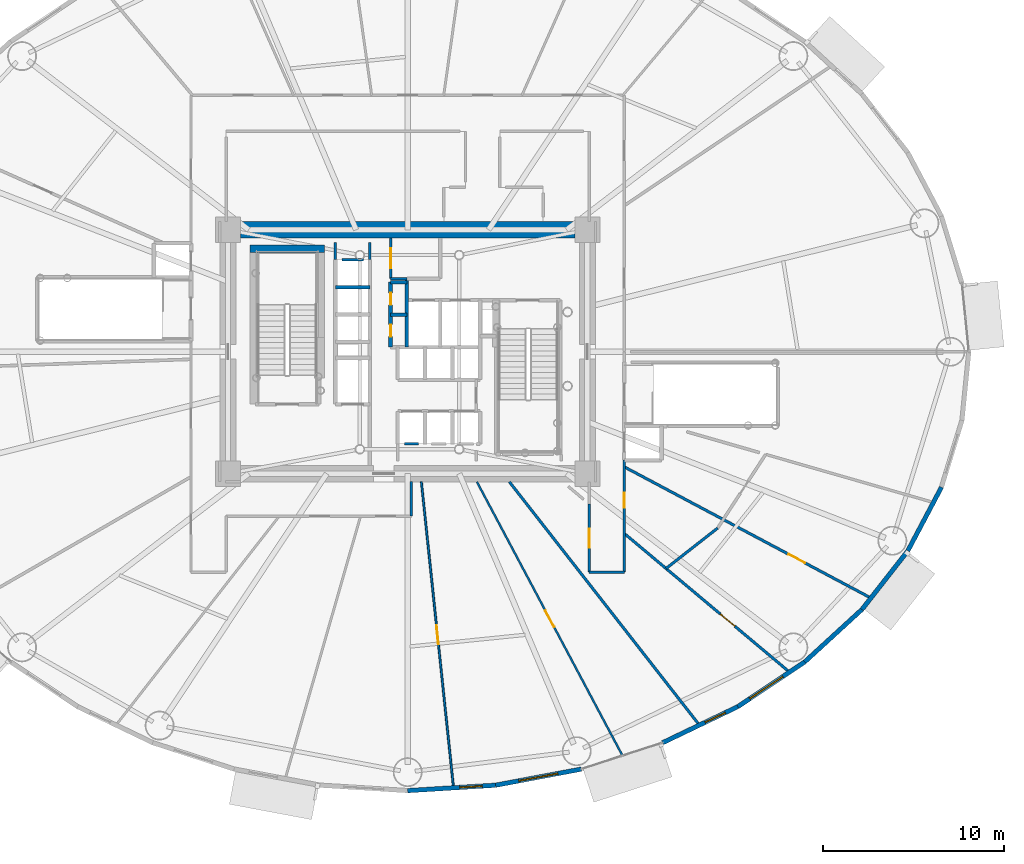
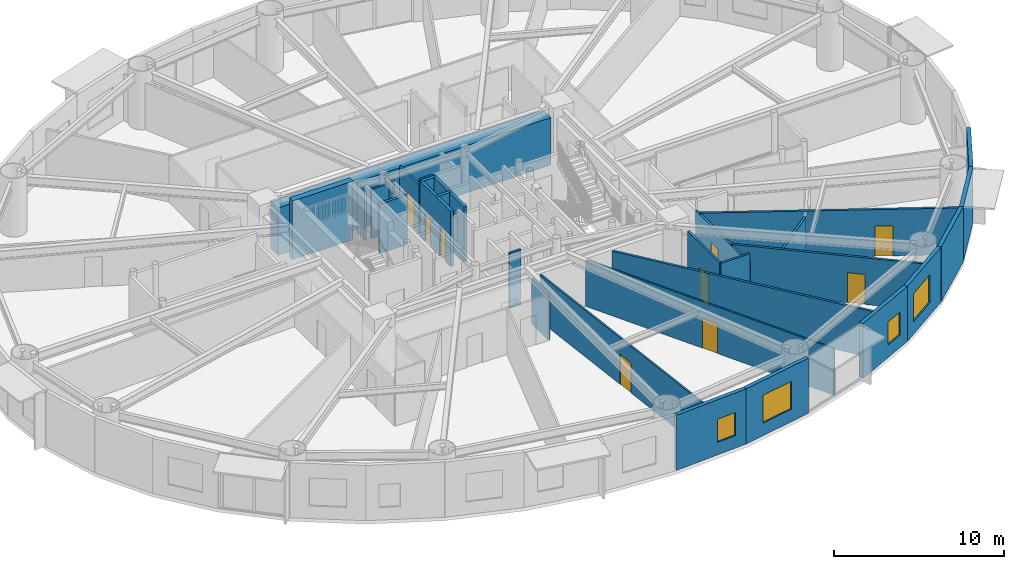
# One storey, part 17 of 28: 30 walls, 9 doors, 4 windows, 13 openings.
"""IFC4 building model written with IfcOpenShell, lengths in metres."""

from ifc_helpers import new_model, si_unit, direction, frame, frame_2d, origin, origin_2d, place, context, subcontext, project, spatial, rectangle, extrude, source, transform, mapped, material, layer, layer_set, type_object, element, fill, save


model = new_model("IFC4")

# Units and contexts
model_context = context("Model", 3, precision=1e-05, world=origin(), true_north=direction((0.0, 1.0)))
body_context = subcontext(model_context, "Body", "Model", "MODEL_VIEW")
ifc_project = project(units=[si_unit("LENGTHUNIT", "METRE"), si_unit("AREAUNIT", "SQUARE_METRE"), si_unit("VOLUMEUNIT", "CUBIC_METRE"), si_unit("PLANEANGLEUNIT", "RADIAN"), si_unit("MASSUNIT", "GRAM", prefix="KILO")], contexts=[model_context])

# Site, building, storey
site_placement = place(None, origin())
site = spatial("IfcSite", under=ifc_project, at=site_placement, CompositionType="ELEMENT")
building_placement = place(site_placement, origin())
building = spatial("IfcBuilding", under=site, at=building_placement, Name="Linh Dai School and Residence Tower", CompositionType="ELEMENT")
storey_placement = place(building_placement, frame((0.0, 0.0, 57.60009765625)))
storey = spatial("IfcBuildingStorey", under=building, at=storey_placement, Name="L13", CompositionType="ELEMENT", Elevation=57.60009765625)

# Wall, opening, window
ifc_material_1 = material(Name="Precast Concrete B45 (C35/45)", Category="concrete")
ifc_layer_1 = layer(ifc_material_1, 0.25)
ifc_layer_set_1 = layer_set([ifc_layer_1], Name="Precast Concrete B45 (C35/45)")
wall_type_1 = type_object("IfcWallType", Name="EW-TC-250", PredefinedType="SOLIDWALL", material=ifc_layer_set_1)
wall_1_placement = place(storey_placement, frame((40.865478515625, 2.994873046875, 0.0), z_axis=(0.0, 0.0, 1.0), x_axis=(-0.998106954071, -0.061502099433, 0.0)))
wall_1 = element("IfcWall", 1, at=wall_1_placement, inside=storey, type_object=wall_type_1, Name="L13 Terracotta Exterior Wall 31", PredefinedType="SOLIDWALL", context=body_context, shape_type="SweptSolid", body=[
    extrude(rectangle(XDim=4.874755859375, YDim=0.25, at=frame_2d((2.4375, 0.0))), origin(), (0.0, 0.0, 1.0), 3.949951171875),
])
opening_1_placement = place(wall_1_placement, frame((0.7373046875, 0.0, 0.89990234375)))
opening_1 = element("IfcOpeningElement", 2, at=opening_1_placement, cuts=wall_1, Name="Opening W3", PredefinedType="OPENING", context=body_context, shape_type="SweptSolid", body=[
    extrude(rectangle(XDim=1.25, YDim=1.64990234375, at=origin_2d()), frame((0.625, 0.135009765625, 0.824951171875), z_axis=(0.0, -1.0, 0.0), x_axis=(1.0, 0.0, 0.0)), (0.0, 0.0, 1.0), 0.27001953125),
])
ifc_material_2 = material(Name="Double Low-E Insulated Glazing", Category="glass")
window_type_1 = type_object("IfcWindowType", Name="WN-RES-1250x1650", PartitioningType="SINGLE_PANEL", PredefinedType="WINDOW", material=ifc_material_2)
shared_shape_1 = source(origin(), body_context, "Body", "SweptSolid", [
    extrude(rectangle(XDim=1.25, YDim=1.64990234375, at=origin_2d()), frame((0.625, 0.030029296875, 0.824951171875), z_axis=(0.0, -1.0, 0.0), x_axis=(1.0, 0.0, 0.0)), (0.0, 0.0, 1.0), 0.06005859375),
])
window_1_placement = place(opening_1_placement, origin())
window_1 = element("IfcWindow", 3, at=window_1_placement, inside=storey, type_object=window_type_1, Name="L13 Exterior Window 31.1", OverallHeight=1.64990234375, OverallWidth=1.25, PartitioningType="SINGLE_PANEL", PredefinedType="WINDOW", context=body_context, shape_type="MappedRepresentation", body=[
    mapped(shared_shape_1, transform((0.0, 0.0, 0.0), x_axis=(1.0, 0.0, 0.0), y_axis=(0.0, 1.0, 0.0), z_axis=(0.0, 0.0, 1.0), scale=1.0)),
])
fill(opening_1, window_1)

wall_2_placement = place(storey_placement, frame((45.610595703125, 3.88671875, 0.0), z_axis=(0.0, 0.0, 1.0), x_axis=(-0.982791952378, -0.184715939598, 0.0)))
wall_2 = element("IfcWall", 4, at=wall_2_placement, inside=storey, type_object=wall_type_1, Name="L13 Terracotta Exterior Wall 32", PredefinedType="SOLIDWALL", context=body_context, shape_type="SweptSolid", body=[
    extrude(rectangle(XDim=4.828125, YDim=0.25, at=frame_2d((2.4140625, 0.0))), origin(), (0.0, 0.0, 1.0), 3.949951171875),
])
opening_2_placement = place(wall_2_placement, frame((1.314208984375, 0.0, 0.89990234375)))
opening_2 = element("IfcOpeningElement", 5, at=opening_2_placement, cuts=wall_2, Name="Opening W4", PredefinedType="OPENING", context=body_context, shape_type="SweptSolid", body=[
    extrude(rectangle(XDim=2.199951171875, YDim=2.0, at=origin_2d()), frame((1.10009765625, 0.135009765625, 1.0), z_axis=(0.0, -1.0, 0.0), x_axis=(1.0, 0.0, 0.0)), (0.0, 0.0, 1.0), 0.27001953125),
])
ifc_material_3 = material(Name="Acoustic Laminated Low-E Glazing", Category="glass")
window_type_2 = type_object("IfcWindowType", Name="WN-SCH-2200x2000", PartitioningType="TRIPLE_PANEL_VERTICAL", PredefinedType="WINDOW", material=ifc_material_3)
shared_shape_2 = source(origin(), body_context, "Body", "SweptSolid", [
    extrude(rectangle(XDim=2.199951171875, YDim=2.0, at=origin_2d()), frame((1.10009765625, 0.030029296875, 1.0), z_axis=(0.0, -1.0, 0.0), x_axis=(1.0, 0.0, 0.0)), (0.0, 0.0, 1.0), 0.06005859375),
])
window_2_placement = place(opening_2_placement, origin())
window_2 = element("IfcWindow", 6, at=window_2_placement, inside=storey, type_object=window_type_2, Name="L13 Exterior Window 32.1", OverallHeight=2.0, OverallWidth=2.199951171875, PartitioningType="TRIPLE_PANEL_VERTICAL", PredefinedType="WINDOW", context=body_context, shape_type="MappedRepresentation", body=[
    mapped(shared_shape_2, transform((0.0, 0.0, 0.0), x_axis=(1.0, 0.0, 0.0), y_axis=(0.0, 1.0, 0.0), z_axis=(0.0, 0.0, 1.0), scale=1.0)),
])
fill(opening_2, window_2)

wall_3_placement = place(storey_placement, frame((54.277099609375, 7.34423828125, 0.0), z_axis=(0.0, 0.0, 1.0), x_axis=(-0.901601503137, -0.432567601123, 0.0)))
wall_3 = element("IfcWall", 7, at=wall_3_placement, inside=storey, type_object=wall_type_1, Name="L13 Terracotta Exterior Wall 34", PredefinedType="SOLIDWALL", context=body_context, shape_type="SweptSolid", body=[
    extrude(rectangle(XDim=4.61279296875, YDim=0.25, at=frame_2d((2.306396484375, 0.0))), origin(), (0.0, 0.0, 1.0), 3.949951171875),
])
opening_3_placement = place(wall_3_placement, frame((0.760986328125, 0.0, 0.89990234375)))
opening_3 = element("IfcOpeningElement", 8, at=opening_3_placement, cuts=wall_3, Name="Opening W3", PredefinedType="OPENING", context=body_context, shape_type="SweptSolid", body=[
    extrude(rectangle(XDim=1.25, YDim=1.64990234375, at=origin_2d()), frame((0.625, 0.135009765625, 0.824951171875), z_axis=(0.0, -1.0, 0.0), x_axis=(1.0, 0.0, 0.0)), (0.0, 0.0, 1.0), 0.27001953125),
])
window_3_placement = place(opening_3_placement, origin())
window_3 = element("IfcWindow", 9, at=window_3_placement, inside=storey, type_object=window_type_1, Name="L13 Exterior Window 34.1", OverallHeight=1.64990234375, OverallWidth=1.25, PartitioningType="SINGLE_PANEL", PredefinedType="WINDOW", context=body_context, shape_type="MappedRepresentation", body=[
    mapped(shared_shape_1, transform((0.0, 0.0, 0.0), x_axis=(1.0, 0.0, 0.0), y_axis=(0.0, 1.0, 0.0), z_axis=(0.0, 0.0, 1.0), scale=1.0)),
])
fill(opening_3, window_3)

wall_4_placement = place(storey_placement, frame((57.984619140625, 9.82373046875, 0.0), z_axis=(0.0, 0.0, 1.0), x_axis=(-0.831240982525, -0.555912249343, 0.0)))
wall_4 = element("IfcWall", 10, at=wall_4_placement, inside=storey, type_object=wall_type_1, Name="L13 Terracotta Exterior Wall 35", PredefinedType="SOLIDWALL", context=body_context, shape_type="SweptSolid", body=[
    extrude(rectangle(XDim=4.460205078125, YDim=0.25, at=frame_2d((2.22998046875, 0.0))), origin(), (0.0, 0.0, 1.0), 3.949951171875),
])
opening_4_placement = place(wall_4_placement, frame((1.460693359375, 0.0, 0.89990234375)))
opening_4 = element("IfcOpeningElement", 11, at=opening_4_placement, cuts=wall_4, Name="Opening W4", PredefinedType="OPENING", context=body_context, shape_type="SweptSolid", body=[
    extrude(rectangle(XDim=2.199951171875, YDim=2.0, at=origin_2d()), frame((1.10009765625, 0.135009765625, 1.0), z_axis=(0.0, -1.0, 0.0), x_axis=(1.0, 0.0, 0.0)), (0.0, 0.0, 1.0), 0.27001953125),
])
window_4_placement = place(opening_4_placement, origin())
window_4 = element("IfcWindow", 12, at=window_4_placement, inside=storey, type_object=window_type_2, Name="L13 Exterior Window 35.1", OverallHeight=2.0, OverallWidth=2.199951171875, PartitioningType="TRIPLE_PANEL_VERTICAL", PredefinedType="WINDOW", context=body_context, shape_type="MappedRepresentation", body=[
    mapped(shared_shape_2, transform((0.0, 0.0, 0.0), x_axis=(1.0, 0.0, 0.0), y_axis=(0.0, 1.0, 0.0), z_axis=(0.0, 0.0, 1.0), scale=1.0)),
])
fill(opening_4, window_4)

# Walls
wall_5_placement = place(storey_placement, frame((61.149658203125, 12.725341796875, 0.0), z_axis=(0.0, 0.0, 1.0), x_axis=(-0.737116376281, -0.67576582321, 0.0)))
element("IfcWall", 13, at=wall_5_placement, inside=storey, type_object=wall_type_1, Name="L13 Terracotta Exterior Wall 36", PredefinedType="SOLIDWALL", context=body_context, shape_type="SweptSolid", body=[
    extrude(rectangle(XDim=4.293701171875, YDim=0.25, at=frame_2d((2.14697265625, 0.0))), origin(), (0.0, 0.0, 1.0), 3.949951171875),
])
wall_6_placement = place(storey_placement, frame((63.694580078125, 15.977294921875, 0.0), z_axis=(0.0, 0.0, 1.0), x_axis=(-0.616295508253, -0.787514981767, 0.0)))
element("IfcWall", 14, at=wall_6_placement, inside=storey, type_object=wall_type_1, Name="L13 Terracotta Exterior Wall 37", PredefinedType="SOLIDWALL", context=body_context, shape_type="SweptSolid", body=[
    extrude(rectangle(XDim=4.12939453125, YDim=0.25, at=frame_2d((2.064697265625, 0.0))), origin(), (0.0, 0.0, 1.0), 3.949951171875),
])
wall_7_placement = place(storey_placement, frame((65.5576171875, 19.49853515625, 0.0), z_axis=(0.0, 0.0, 1.0), x_axis=(-0.467662443071, -0.883907144072, 0.0)))
element("IfcWall", 15, at=wall_7_placement, inside=storey, type_object=wall_type_1, Name="L13 Terracotta Exterior Wall 38", PredefinedType="SOLIDWALL", context=body_context, shape_type="SweptSolid", body=[
    extrude(rectangle(XDim=3.983642578125, YDim=0.25, at=frame_2d((1.99169921875, 0.0))), origin(), (0.0, 0.0, 1.0), 3.949951171875),
])

# Wall, opening, door
ifc_material_4 = material(Name="Autoclaved Aerated Concrete Blockwork", Category="masonry")
ifc_layer_2 = layer(ifc_material_4, 0.135009765625)
ifc_layer_set_2 = layer_set([ifc_layer_2], Name="Autoclaved Aerated Concrete Blockwork")
wall_type_2 = type_object("IfcWallType", Name="IW-CORR-135-EI90", PredefinedType="PARTITIONING", material=ifc_layer_set_2)
wall_8_placement = place(storey_placement, frame((35.050048828125, 31.050048828125, 0.0), z_axis=(0.0, 0.0, 1.0), x_axis=(0.0, 1.0, 0.0)))
wall_8 = element("IfcWall", 16, at=wall_8_placement, inside=storey, type_object=wall_type_2, Name="L13 Interior Partition Wall 034", PredefinedType="PARTITIONING", context=body_context, shape_type="SweptSolid", body=[
    extrude(rectangle(XDim=2.25, YDim=0.135009765625, at=frame_2d((1.125, 0.0))), origin(), (0.0, 0.0, 1.0), 3.534912109375),
])
opening_5_placement = place(wall_8_placement, frame((0.574951171875, 0.0, 0.0)))
opening_5 = element("IfcOpeningElement", 17, at=opening_5_placement, cuts=wall_8, Name="Opening D07", PredefinedType="OPENING", context=body_context, shape_type="SweptSolid", body=[
    extrude(rectangle(XDim=1.10009765625, YDim=2.14990234375, at=origin_2d()), frame((0.550048828125, 0.07763671875, 1.074951171875), z_axis=(0.0, -1.0, 0.0), x_axis=(1.0, 0.0, 0.0)), (0.0, 0.0, 1.0), 0.155029296875),
])
ifc_material_5 = material(Name="Fire-Rated Louvred Steel Plant Door", Category="steel")
door_type_1 = type_object("IfcDoorType", Name="DR-PLT-1100x2150-FD60S", OperationType="NOTDEFINED", PredefinedType="DOOR", material=ifc_material_5)
shared_shape_3 = source(origin(), body_context, "Body", "SweptSolid", [
    extrude(rectangle(XDim=1.10009765625, YDim=2.14990234375, at=origin_2d()), frame((0.550048828125, 0.02490234375, 1.074951171875), z_axis=(0.0, -1.0, 0.0), x_axis=(1.0, 0.0, 0.0)), (0.0, 0.0, 1.0), 0.050048828125),
])
door_1_placement = place(opening_5_placement, origin())
door_1 = element("IfcDoor", 18, at=door_1_placement, inside=storey, type_object=door_type_1, Name="L13 North BMS Switchroom Door", OperationType="SINGLE_SWING_RIGHT", OverallHeight=2.14990234375, OverallWidth=1.10009765625, PredefinedType="DOOR", context=body_context, shape_type="MappedRepresentation", body=[
    mapped(shared_shape_3, transform((0.0, 0.0, 0.0), x_axis=(1.0, 0.0, 0.0), y_axis=(0.0, 1.0, 0.0), z_axis=(0.0, 0.0, 1.0), scale=1.0)),
])
fill(opening_5, door_1)

# Walls
wall_9_placement = place(storey_placement, frame((35.050048828125, 31.050048828125, 0.0), z_axis=(0.0, 0.0, 1.0), x_axis=(1.0, 0.0, 0.0)))
element("IfcWall", 19, at=wall_9_placement, inside=storey, type_object=wall_type_2, Name="L13 Interior Partition Wall 035", PredefinedType="PARTITIONING", context=body_context, shape_type="SweptSolid", body=[
    extrude(rectangle(XDim=0.89990234375, YDim=0.135009765625, at=frame_2d((0.449951171875, 0.0))), origin(), (0.0, 0.0, 1.0), 3.949951171875),
])
wall_10_placement = place(storey_placement, frame((36.199951171875, 17.89990234375, 0.0), z_axis=(0.0, 0.0, 1.0), x_axis=(0.0, 1.0, 0.0)))
element("IfcWall", 20, at=wall_10_placement, inside=storey, type_object=wall_type_2, Name="L13 Interior Partition Wall 043", PredefinedType="PARTITIONING", context=body_context, shape_type="SweptSolid", body=[
    extrude(rectangle(XDim=1.900146484375, YDim=0.135009765625, at=frame_2d((0.9501953125, 0.0))), origin(), (0.0, 0.0, 1.0), 3.284912109375),
])

# Wall, opening, door
wall_11_placement = place(storey_placement, frame((46.050048828125, 14.800048828125, 0.0), z_axis=(0.0, 0.0, 1.0), x_axis=(0.0, 1.0, 0.0)))
wall_11 = element("IfcWall", 21, at=wall_11_placement, inside=storey, type_object=wall_type_2, Name="L13 Interior Partition Wall 063", PredefinedType="PARTITIONING", context=body_context, shape_type="SweptSolid", body=[
    extrude(rectangle(XDim=3.76708984375, YDim=0.135009765625, at=frame_2d((1.883544921875, 0.0))), origin(), (0.0, 0.0, 1.0), 3.949951171875),
])
opening_6_placement = place(wall_11_placement, frame((1.3583984375, 0.0, 0.0)))
opening_6 = element("IfcOpeningElement", 22, at=opening_6_placement, cuts=wall_11, Name="Opening D04", PredefinedType="OPENING", context=body_context, shape_type="SweptSolid", body=[
    extrude(rectangle(XDim=1.050048828125, YDim=2.14990234375, at=origin_2d()), frame((0.52490234375, 0.07763671875, 1.074951171875), z_axis=(0.0, -1.0, 0.0), x_axis=(1.0, 0.0, 0.0)), (0.0, 0.0, 1.0), 0.155029296875),
])
ifc_material_6 = material(Name="Acoustic Vision-Panel Timber Classroom Door", Category="wood")
door_type_2 = type_object("IfcDoorType", Name="DR-SCH-1050x2150-FD60S", OperationType="NOTDEFINED", PredefinedType="DOOR", material=ifc_material_6)
shared_shape_4 = source(origin(), body_context, "Body", "SweptSolid", [
    extrude(rectangle(XDim=1.050048828125, YDim=2.14990234375, at=origin_2d()), frame((0.52490234375, 0.02490234375, 1.074951171875), z_axis=(0.0, -1.0, 0.0), x_axis=(1.0, 0.0, 0.0)), (0.0, 0.0, 1.0), 0.050048828125),
])
door_2_placement = place(opening_6_placement, origin())
door_2 = element("IfcDoor", 23, at=door_2_placement, inside=storey, type_object=door_type_2, Name="L13 Sixth-Form Dean and Careers Office Door", OperationType="SINGLE_SWING_LEFT", OverallHeight=2.14990234375, OverallWidth=1.050048828125, PredefinedType="DOOR", context=body_context, shape_type="MappedRepresentation", body=[
    mapped(shared_shape_4, transform((0.0, 0.0, 0.0), x_axis=(1.0, 0.0, 0.0), y_axis=(0.0, 1.0, 0.0), z_axis=(0.0, 0.0, 1.0), scale=1.0)),
])
fill(opening_6, door_2)

# Wall
wall_12_placement = place(storey_placement, frame((46.050048828125, 14.800048828125, 0.0), z_axis=(0.0, 0.0, 1.0), x_axis=(1.0, 0.0, 0.0)))
element("IfcWall", 24, at=wall_12_placement, inside=storey, type_object=wall_type_2, Name="L13 Interior Partition Wall 064", PredefinedType="PARTITIONING", context=body_context, shape_type="SweptSolid", body=[
    extrude(rectangle(XDim=1.949951171875, YDim=0.135009765625, at=frame_2d((0.97509765625, 0.0))), origin(), (0.0, 0.0, 1.0), 3.949951171875),
])

# Wall, opening, door
wall_13_placement = place(storey_placement, frame((48.0, 14.800048828125, 0.0), z_axis=(0.0, 0.0, 1.0), x_axis=(0.0, 1.0, 0.0)))
wall_13 = element("IfcWall", 25, at=wall_13_placement, inside=storey, type_object=wall_type_2, Name="L13 Interior Partition Wall 066", PredefinedType="PARTITIONING", context=body_context, shape_type="SweptSolid", body=[
    extrude(rectangle(XDim=6.199951171875, YDim=0.135009765625, at=frame_2d((3.10009765625, 0.0))), origin(), (0.0, 0.0, 1.0), 3.284912109375),
])
opening_7_placement = place(wall_13_placement, frame((3.565185546875, 0.0, 0.0)))
opening_7 = element("IfcOpeningElement", 26, at=opening_7_placement, cuts=wall_13, Name="Opening D06", PredefinedType="OPENING", context=body_context, shape_type="SweptSolid", body=[
    extrude(rectangle(XDim=0.820068359375, YDim=2.10009765625, at=origin_2d()), frame((0.41015625, 0.07763671875, 1.050048828125), z_axis=(0.0, -1.0, 0.0), x_axis=(1.0, 0.0, 0.0)), (0.0, 0.0, 1.0), 0.155029296875),
])
ifc_material_7 = material(Name="Moisture-Resistant Timber Bathroom Door", Category="wood")
door_type_3 = type_object("IfcDoorType", Name="DR-WET-820x2100", OperationType="NOTDEFINED", PredefinedType="DOOR", material=ifc_material_7)
shared_shape_5 = source(origin(), body_context, "Body", "SweptSolid", [
    extrude(rectangle(XDim=0.820068359375, YDim=2.10009765625, at=origin_2d()), frame((0.41015625, 0.02490234375, 1.050048828125), z_axis=(0.0, -1.0, 0.0), x_axis=(1.0, 0.0, 0.0)), (0.0, 0.0, 1.0), 0.050048828125),
])
door_3_placement = place(opening_7_placement, origin())
door_3 = element("IfcDoor", 27, at=door_3_placement, inside=storey, type_object=door_type_3, Name="L13 Sixth-Form Male WC Door", OperationType="SINGLE_SWING_RIGHT", OverallHeight=2.10009765625, OverallWidth=0.820068359375, PredefinedType="DOOR", context=body_context, shape_type="MappedRepresentation", body=[
    mapped(shared_shape_5, transform((0.0, 0.0, 0.0), x_axis=(1.0, 0.0, 0.0), y_axis=(0.0, 1.0, 0.0), z_axis=(0.0, 0.0, 1.0), scale=1.0)),
])
fill(opening_7, door_3)

# Walls
wall_14_placement = place(storey_placement, frame((36.60009765625, 21.89990234375, 0.0), z_axis=(0.0, 0.0, 1.0), x_axis=(-1.0, 0.0, 0.0)))
element("IfcWall", 28, at=wall_14_placement, inside=storey, type_object=wall_type_2, Name="L13 Interior Partition Wall 078", PredefinedType="PARTITIONING", context=body_context, shape_type="SweptSolid", body=[
    extrude(rectangle(XDim=0.7900390625, YDim=0.135009765625, at=frame_2d((0.39501953125, 0.0))), origin(), (0.0, 0.0, 1.0), 3.949951171875),
])
wall_15_placement = place(storey_placement, frame((32.360107421875, 32.10009765625, 0.0), z_axis=(0.0, 0.0, 1.0), x_axis=(1.0, 0.0, 0.0)))
element("IfcWall", 29, at=wall_15_placement, inside=storey, type_object=wall_type_2, Name="L13 Interior Partition Wall 081", PredefinedType="PARTITIONING", context=body_context, shape_type="SweptSolid", body=[
    extrude(rectangle(XDim=1.179931640625, YDim=0.135009765625, at=frame_2d((0.58984375, 0.0))), origin(), (0.0, 0.0, 1.0), 3.534912109375),
])
wall_16_placement = place(storey_placement, frame((32.0, 33.0400390625, 0.0), z_axis=(0.0, 0.0, 1.0), x_axis=(0.0, -1.0, 0.0)))
element("IfcWall", 30, at=wall_16_placement, inside=storey, type_object=wall_type_2, Name="L13 Interior Partition Wall 083", PredefinedType="PARTITIONING", context=body_context, shape_type="SweptSolid", body=[
    extrude(rectangle(XDim=0.929931640625, YDim=0.135009765625, at=frame_2d((0.46484375, 0.0))), origin(), (0.0, 0.0, 1.0), 3.48486328125),
])
wall_17_placement = place(storey_placement, frame((33.89990234375, 32.110107421875, 0.0), z_axis=(0.0, 0.0, 1.0), x_axis=(0.0, 1.0, 0.0)))
element("IfcWall", 31, at=wall_17_placement, inside=storey, type_object=wall_type_2, Name="L13 Interior Partition Wall 086", PredefinedType="PARTITIONING", context=body_context, shape_type="SweptSolid", body=[
    extrude(rectangle(XDim=0.929931640625, YDim=0.135009765625, at=frame_2d((0.46484375, 0.0))), origin(), (0.0, 0.0, 1.0), 3.534912109375),
])

# Wall, opening, door
ifc_material_8 = material(Name="Acoustic Operable Timber Panel Partition", Category="wood")
ifc_layer_3 = layer(ifc_material_8, 0.110107421875)
ifc_layer_set_3 = layer_set([ifc_layer_3], Name="Acoustic Operable Timber Panel Partition")
wall_type_3 = type_object("IfcWallType", Name="IW-MOV-110", PredefinedType="MOVABLE", material=ifc_layer_set_3)
wall_18_placement = place(storey_placement, frame((36.7568359375, 19.800048828125, 0.0), z_axis=(0.0, 0.0, 1.0), x_axis=(0.10451927992, -0.994522860534, 0.0)))
wall_18 = element("IfcWall", 32, at=wall_18_placement, inside=storey, type_object=wall_type_3, Name="L13 Interior Partition Wall 044", PredefinedType="MOVABLE", context=body_context, shape_type="SweptSolid", body=[
    extrude(rectangle(XDim=17.046875, YDim=0.110107421875, at=frame_2d((8.5234375, 0.0))), origin(), (0.0, 0.0, 1.0), 3.3349609375),
])
opening_8_placement = place(wall_18_placement, frame((7.99853515625, 0.0, 0.0)))
opening_8 = element("IfcOpeningElement", 33, at=opening_8_placement, cuts=wall_18, Name="Opening D04", PredefinedType="OPENING", context=body_context, shape_type="SweptSolid", body=[
    extrude(rectangle(XDim=1.050048828125, YDim=2.14990234375, at=origin_2d()), frame((0.52490234375, 0.06494140625, 1.074951171875), z_axis=(0.0, -1.0, 0.0), x_axis=(1.0, 0.0, 0.0)), (0.0, 0.0, 1.0), 0.130126953125),
])
door_4_placement = place(opening_8_placement, origin())
door_4 = element("IfcDoor", 34, at=door_4_placement, inside=storey, type_object=door_type_2, Name="L13 Upper Sixth Classroom 4 Door", OperationType="SINGLE_SWING_LEFT", OverallHeight=2.14990234375, OverallWidth=1.050048828125, PredefinedType="DOOR", context=body_context, shape_type="MappedRepresentation", body=[
    mapped(shared_shape_4, transform((0.0, 0.0, 0.0), x_axis=(1.0, 0.0, 0.0), y_axis=(0.0, 1.0, 0.0), z_axis=(0.0, 0.0, 1.0), scale=1.0)),
])
fill(opening_8, door_4)

wall_19_placement = place(storey_placement, frame((39.828369140625, 19.800048828125, 0.0), z_axis=(0.0, 0.0, 1.0), x_axis=(0.469475400737, -0.882945552174, 0.0)))
wall_19 = element("IfcWall", 35, at=wall_19_placement, inside=storey, type_object=wall_type_3, Name="L13 Interior Partition Wall 054", PredefinedType="MOVABLE", context=body_context, shape_type="SweptSolid", body=[
    extrude(rectangle(XDim=17.1884765625, YDim=0.110107421875, at=frame_2d((8.59423828125, 0.0))), origin(), (0.0, 0.0, 1.0), 3.3349609375),
])
opening_9_placement = place(wall_19_placement, frame((8.0693359375, 0.0, 0.0)))
opening_9 = element("IfcOpeningElement", 36, at=opening_9_placement, cuts=wall_19, Name="Opening D04", PredefinedType="OPENING", context=body_context, shape_type="SweptSolid", body=[
    extrude(rectangle(XDim=1.050048828125, YDim=2.14990234375, at=origin_2d()), frame((0.52490234375, 0.06494140625, 1.074951171875), z_axis=(0.0, -1.0, 0.0), x_axis=(1.0, 0.0, 0.0)), (0.0, 0.0, 1.0), 0.130126953125),
])
door_5_placement = place(opening_9_placement, origin())
door_5 = element("IfcDoor", 37, at=door_5_placement, inside=storey, type_object=door_type_2, Name="L13 Upper Sixth Classroom 5 Door", OperationType="SINGLE_SWING_RIGHT", OverallHeight=2.14990234375, OverallWidth=1.050048828125, PredefinedType="DOOR", context=body_context, shape_type="MappedRepresentation", body=[
    mapped(shared_shape_4, transform((0.0, 0.0, 0.0), x_axis=(1.0, 0.0, 0.0), y_axis=(0.0, 1.0, 0.0), z_axis=(0.0, 0.0, 1.0), scale=1.0)),
])
fill(opening_9, door_5)

# Wall
ifc_layer_4 = layer(ifc_material_4, 0.14990234375)
ifc_layer_set_4 = layer_set([ifc_layer_4], Name="Autoclaved Aerated Concrete Blockwork")
wall_type_4 = type_object("IfcWallType", Name="IW-SCH-150-EI60", PredefinedType="PARTITIONING", material=ifc_layer_set_4)
wall_20_placement = place(storey_placement, frame((41.625244140625, 19.800048828125, 0.0), z_axis=(0.0, 0.0, 1.0), x_axis=(0.615654567116, -0.788016150843, 0.0)))
element("IfcWall", 38, at=wall_20_placement, inside=storey, type_object=wall_type_4, Name="L13 Interior Partition Wall 060", PredefinedType="PARTITIONING", context=body_context, shape_type="SweptSolid", body=[
    extrude(rectangle(XDim=17.10498046875, YDim=0.14990234375, at=frame_2d((8.552490234375, 0.0))), origin(), (0.0, 0.0, 1.0), 3.3349609375),
])

# Wall, opening, door
wall_21_placement = place(storey_placement, frame((48.0, 16.930908203125, 0.0), z_axis=(0.0, 0.0, 1.0), x_axis=(0.766041142181, -0.642791543571, 0.0)))
wall_21 = element("IfcWall", 39, at=wall_21_placement, inside=storey, type_object=wall_type_4, Name="L13 Interior Partition Wall 067", PredefinedType="PARTITIONING", context=body_context, shape_type="SweptSolid", body=[
    extrude(rectangle(XDim=11.938720703125, YDim=0.14990234375, at=frame_2d((5.96923828125, 0.0))), origin(), (0.0, 0.0, 1.0), 3.3349609375),
])
opening_10_placement = place(wall_21_placement, frame((6.9287109375, 0.0, 0.0)))
opening_10 = element("IfcOpeningElement", 40, at=opening_10_placement, cuts=wall_21, Name="Opening D04", PredefinedType="OPENING", context=body_context, shape_type="SweptSolid", body=[
    extrude(rectangle(XDim=1.050048828125, YDim=2.14990234375, at=origin_2d()), frame((0.52490234375, 0.0849609375, 1.074951171875), z_axis=(0.0, -1.0, 0.0), x_axis=(1.0, 0.0, 0.0)), (0.0, 0.0, 1.0), 0.169921875),
])
door_6_placement = place(opening_10_placement, origin())
door_6 = element("IfcDoor", 41, at=door_6_placement, inside=storey, type_object=door_type_2, Name="L13 Resource Study Room BWC Door", OperationType="SINGLE_SWING_LEFT", OverallHeight=2.14990234375, OverallWidth=1.050048828125, PredefinedType="DOOR", context=body_context, shape_type="MappedRepresentation", body=[
    mapped(shared_shape_4, transform((0.0, 0.0, 0.0), x_axis=(1.0, 0.0, 0.0), y_axis=(0.0, 1.0, 0.0), z_axis=(0.0, 0.0, 1.0), scale=1.0)),
])
fill(opening_10, door_6)

wall_22_placement = place(storey_placement, frame((48.0, 20.619384765625, 0.0), z_axis=(0.0, 0.0, 1.0), x_axis=(0.882949260716, -0.469468425989, 0.0)))
wall_22 = element("IfcWall", 42, at=wall_22_placement, inside=storey, type_object=wall_type_4, Name="L13 Interior Partition Wall 068", PredefinedType="PARTITIONING", context=body_context, shape_type="SweptSolid", body=[
    extrude(rectangle(XDim=15.462646484375, YDim=0.14990234375, at=frame_2d((7.7314453125, 0.0))), origin(), (0.0, 0.0, 1.0), 3.3349609375),
])
opening_11_placement = place(wall_22_placement, frame((10.285400390625, 0.0, 0.0)))
opening_11 = element("IfcOpeningElement", 43, at=opening_11_placement, cuts=wall_22, Name="Opening D04", PredefinedType="OPENING", context=body_context, shape_type="SweptSolid", body=[
    extrude(rectangle(XDim=1.050048828125, YDim=2.14990234375, at=origin_2d()), frame((0.52490234375, 0.0849609375, 1.074951171875), z_axis=(0.0, -1.0, 0.0), x_axis=(1.0, 0.0, 0.0)), (0.0, 0.0, 1.0), 0.169921875),
])
door_7_placement = place(opening_11_placement, origin())
door_7 = element("IfcDoor", 44, at=door_7_placement, inside=storey, type_object=door_type_2, Name="L13 Resource Study Room GWC Door", OperationType="SINGLE_SWING_RIGHT", OverallHeight=2.14990234375, OverallWidth=1.050048828125, PredefinedType="DOOR", context=body_context, shape_type="MappedRepresentation", body=[
    mapped(shared_shape_4, transform((0.0, 0.0, 0.0), x_axis=(1.0, 0.0, 0.0), y_axis=(0.0, 1.0, 0.0), z_axis=(0.0, 0.0, 1.0), scale=1.0)),
])
fill(opening_11, door_7)

# Walls
wall_23_placement = place(storey_placement, frame((50.304931640625, 14.996826171875, 0.0), z_axis=(0.0, 0.0, 1.0), x_axis=(0.787346078754, 0.616511275056, 0.0)))
element("IfcWall", 45, at=wall_23_placement, inside=storey, type_object=wall_type_4, Name="L13 Interior Partition Wall 075", PredefinedType="PARTITIONING", context=body_context, shape_type="SweptSolid", body=[
    extrude(rectangle(XDim=3.63134765625, YDim=0.14990234375, at=frame_2d((1.815673828125, 0.0))), origin(), (0.0, 0.0, 1.0), 3.284912109375),
])
ifc_material_9 = material(Name="Concrete B45 (C35/45)", Category="concrete")
ifc_layer_5 = layer(ifc_material_9, 0.199951171875)
ifc_layer_set_5 = layer_set([ifc_layer_5], Name="Concrete B45 (C35/45)")
wall_type_5 = type_object("IfcWallType", Name="IW-SHAFT-200-EI120", PredefinedType="PARTITIONING", material=ifc_layer_set_5)
wall_24_placement = place(storey_placement, frame((32.0, 30.580078125, 0.0), z_axis=(0.0, 0.0, 1.0), x_axis=(1.0, 0.0, 0.0)))
element("IfcWall", 46, at=wall_24_placement, inside=storey, type_object=wall_type_5, Name="L13 Interior Partition Wall 027", PredefinedType="PARTITIONING", context=body_context, shape_type="SweptSolid", body=[
    extrude(rectangle(XDim=1.89990234375, YDim=0.199951171875, at=frame_2d((0.949951171875, 0.0))), origin(), (0.0, 0.0, 1.0), 3.534912109375),
])

# Wall, openings, doors
wall_25_placement = place(storey_placement, frame((35.050048828125, 27.25, 0.0), z_axis=(0.0, 0.0, 1.0), x_axis=(0.0, 1.0, 0.0)))
wall_25 = element("IfcWall", 47, at=wall_25_placement, inside=storey, type_object=wall_type_5, Name="L13 Interior Partition Wall 030", PredefinedType="PARTITIONING", context=body_context, shape_type="SweptSolid", body=[
    extrude(rectangle(XDim=3.60009765625, YDim=0.199951171875, at=frame_2d((1.800048828125, 0.0))), origin(), (0.0, 0.0, 1.0), 3.949951171875),
])
opening_12_placement = place(wall_25_placement, frame((0.590087890625, 0.0, 0.0)))
opening_12 = element("IfcOpeningElement", 48, at=opening_12_placement, cuts=wall_25, Name="Opening AD1", PredefinedType="OPENING", context=body_context, shape_type="SweptSolid", body=[
    extrude(rectangle(XDim=0.659912109375, YDim=2.050048828125, at=origin_2d()), frame((0.330078125, 0.10986328125, 1.02490234375), z_axis=(0.0, -1.0, 0.0), x_axis=(1.0, 0.0, 0.0)), (0.0, 0.0, 1.0), 0.219970703125),
])
opening_13_placement = place(wall_25_placement, frame((2.35009765625, 0.0, 0.0)))
opening_13 = element("IfcOpeningElement", 49, at=opening_13_placement, cuts=wall_25, Name="Opening AD1", PredefinedType="OPENING", context=body_context, shape_type="SweptSolid", body=[
    extrude(rectangle(XDim=0.659912109375, YDim=2.050048828125, at=origin_2d()), frame((0.330078125, 0.10986328125, 1.02490234375), z_axis=(0.0, -1.0, 0.0), x_axis=(1.0, 0.0, 0.0)), (0.0, 0.0, 1.0), 0.219970703125),
])
ifc_material_10 = material(Name="Fire-Rated Steel Riser Access Door", Category="steel")
door_type_4 = type_object("IfcDoorType", Name="DR-ACC-660x2050-FD90S", OperationType="NOTDEFINED", PredefinedType="USERDEFINED", material=ifc_material_10)
shared_shape_6 = source(origin(), body_context, "Body", "SweptSolid", [
    extrude(rectangle(XDim=0.659912109375, YDim=2.050048828125, at=origin_2d()), frame((0.330078125, 0.02490234375, 1.02490234375), z_axis=(0.0, -1.0, 0.0), x_axis=(1.0, 0.0, 0.0)), (0.0, 0.0, 1.0), 0.050048828125),
])
door_8_placement = place(opening_12_placement, origin())
door_8 = element("IfcDoor", 50, at=door_8_placement, inside=storey, type_object=door_type_4, Name="L13 Telecom and Data Riser Access Door", ObjectType="ACCESS DOOR", OperationType="SINGLE_SWING_RIGHT", OverallHeight=2.050048828125, OverallWidth=0.659912109375, PredefinedType="USERDEFINED", context=body_context, shape_type="MappedRepresentation", body=[
    mapped(shared_shape_6, transform((0.0, 0.0, 0.0), x_axis=(1.0, 0.0, 0.0), y_axis=(0.0, 1.0, 0.0), z_axis=(0.0, 0.0, 1.0), scale=1.0)),
])
fill(opening_12, door_8)
door_9_placement = place(opening_13_placement, origin())
door_9 = element("IfcDoor", 51, at=door_9_placement, inside=storey, type_object=door_type_4, Name="L13 Mechanical and Plumbing Riser Access Door", ObjectType="ACCESS DOOR", OperationType="SINGLE_SWING_LEFT", OverallHeight=2.050048828125, OverallWidth=0.659912109375, PredefinedType="USERDEFINED", context=body_context, shape_type="MappedRepresentation", body=[
    mapped(shared_shape_6, transform((0.0, 0.0, 0.0), x_axis=(1.0, 0.0, 0.0), y_axis=(0.0, 1.0, 0.0), z_axis=(0.0, 0.0, 1.0), scale=1.0)),
])
fill(opening_13, door_9)

# Walls
for number, where, z_axis, x_axis, name in (
    (52, (35.050048828125, 29.050048828125, 0.0), (0.0, 0.0, 1.0), (1.0, 0.0, 0.0), "L13 Interior Partition Wall 032"),
    (53, (35.050048828125, 30.85009765625, 0.0), (0.0, 0.0, 1.0), (1.0, 0.0, 0.0), "L13 Interior Partition Wall 033"),
):
    element("IfcWall", number, at=place(storey_placement, frame(where, z_axis=z_axis, x_axis=x_axis)), inside=storey, type_object=wall_type_5, Name=name, PredefinedType="PARTITIONING", context=body_context, shape_type="SweptSolid", body=[
        extrude(rectangle(XDim=0.89990234375, YDim=0.199951171875, at=frame_2d((0.449951171875, 0.0))), origin(), (0.0, 0.0, 1.0), 3.949951171875),
    ])
wall_26_placement = place(storey_placement, frame((35.949951171875, 27.25, 0.0), z_axis=(0.0, 0.0, 1.0), x_axis=(0.0, 1.0, 0.0)))
element("IfcWall", 54, at=wall_26_placement, inside=storey, type_object=wall_type_5, Name="L13 Interior Partition Wall 040", PredefinedType="PARTITIONING", context=body_context, shape_type="SweptSolid", body=[
    extrude(rectangle(XDim=3.800048828125, YDim=0.199951171875, at=frame_2d((1.89990234375, 0.0))), origin(), (0.0, 0.0, 1.0), 3.949951171875),
])
ifc_layer_6 = layer(ifc_material_9, 0.39990234375)
ifc_layer_set_6 = layer_set([ifc_layer_6], Name="Concrete B45 (C35/45)")
wall_type_6 = type_object("IfcWallType", Name="WL-CORE400", PredefinedType="SHEAR", material=ifc_layer_set_6)
wall_27_placement = place(storey_placement, frame((27.280029296875, 32.699951171875, 0.0), z_axis=(0.0, 0.0, 1.0), x_axis=(1.0, 0.0, 0.0)))
element("IfcWall", 55, at=wall_27_placement, inside=storey, type_object=wall_type_6, Name="L13 Core Stair ST1 Bearing Wall N", PredefinedType="SHEAR", context=body_context, shape_type="SweptSolid", body=[
    extrude(rectangle(XDim=4.099853515625, YDim=0.39990234375, at=frame_2d((2.0498046875, 0.0))), origin(), (0.0, 0.0, 1.0), 4.199951171875),
])
ifc_material_11 = material(Name="Concrete B60 (C50/60)", Category="concrete")
ifc_layer_7 = layer(ifc_material_11, 0.89990234375)
ifc_layer_set_7 = layer_set([ifc_layer_7], Name="Concrete B60 (C50/60)")
wall_type_7 = type_object("IfcWallType", Name="WL-CORE900", PredefinedType="SHEAR", material=ifc_layer_set_7)
wall_28_placement = place(storey_placement, frame((26.75, 33.75, 0.0), z_axis=(0.0, 0.0, 1.0), x_axis=(1.0, 0.0, 0.0)))
element("IfcWall", 56, at=wall_28_placement, inside=storey, type_object=wall_type_7, Name="L13 Central Core Shear Wall N", PredefinedType="SHEAR", context=body_context, shape_type="SweptSolid", body=[
    extrude(rectangle(XDim=18.5, YDim=0.89990234375, at=frame_2d((9.25, 0.0))), origin(), (0.0, 0.0, 1.0), 3.39990234375),
])

save(model, "model.ifc")
